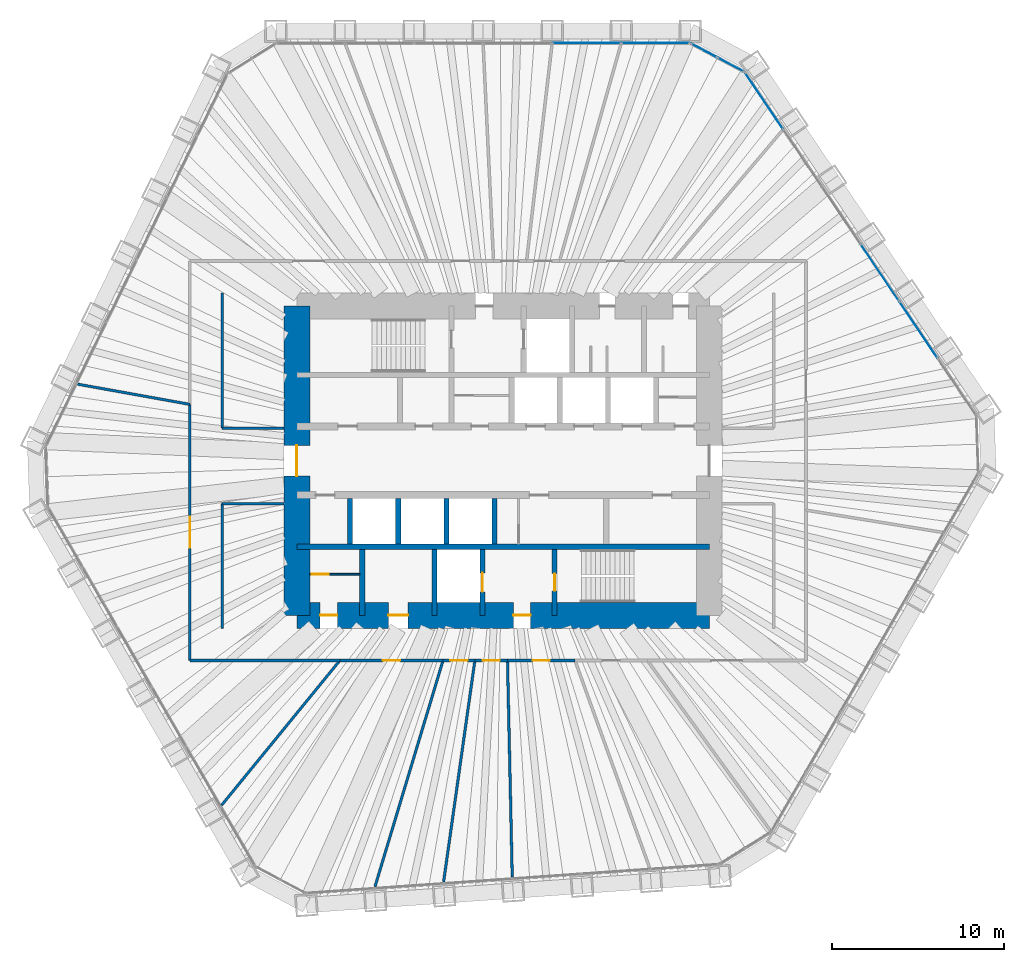
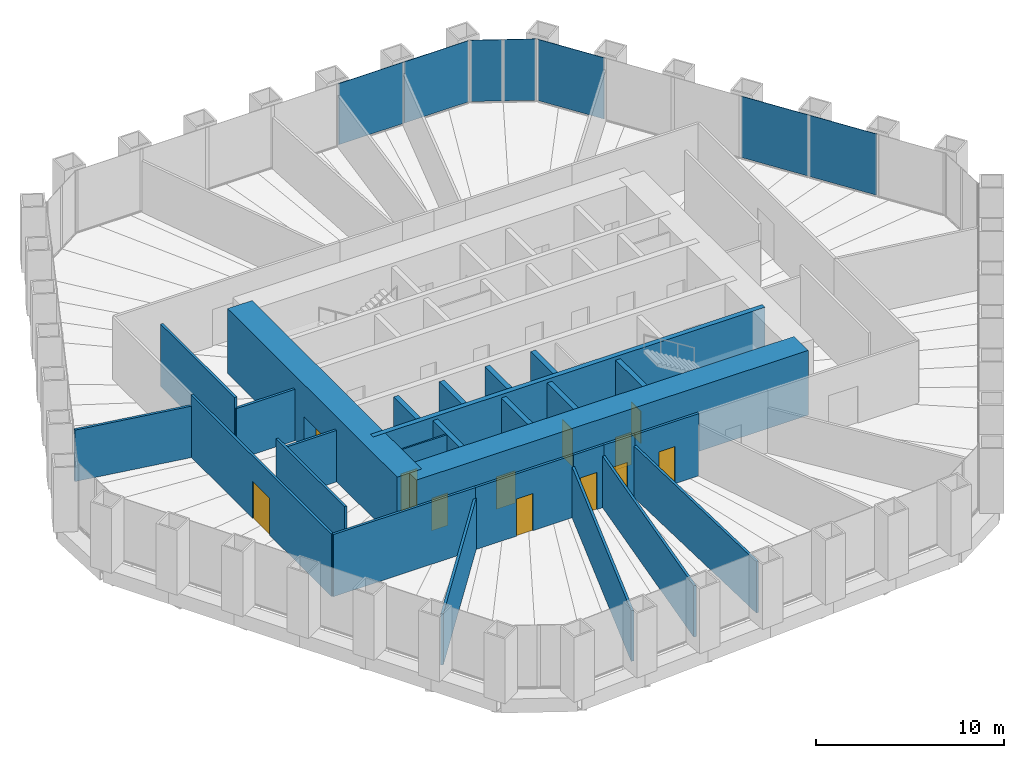
# One storey, part 9 of 12: 27 walls, 12 doors, 7 plates, 12 openings, 3 elements without a shape of their own.
"""IFC4 building model written with IfcOpenShell, lengths in metres."""

from ifc_helpers import new_model, si_unit, direction, frame, frame_2d, origin, origin_2d, place, context, subcontext, project, spatial, rectangle, extrude, material, layer, layer_set, type_object, element, fill, aggregate, save


model = new_model("IFC4")

# Units and contexts
model_context = context("Model", 3, precision=1e-05, world=origin(), true_north=direction((0.0, 1.0)))
body_context = subcontext(model_context, "Body", "Model", "MODEL_VIEW")
ifc_project = project(units=[si_unit("LENGTHUNIT", "METRE"), si_unit("AREAUNIT", "SQUARE_METRE"), si_unit("VOLUMEUNIT", "CUBIC_METRE"), si_unit("PLANEANGLEUNIT", "RADIAN"), si_unit("MASSUNIT", "GRAM", prefix="KILO")], contexts=[model_context])

# Site, building, storey
site_placement = place(None, origin())
site = spatial("IfcSite", under=ifc_project, at=site_placement, CompositionType="ELEMENT")
building_placement = place(site_placement, origin())
building = spatial("IfcBuilding", under=site, at=building_placement, Name="Qingtian Harvest Tower", CompositionType="ELEMENT")
storey_placement = place(building_placement, frame((0.0, 0.0, 107.199951171875)))
storey = spatial("IfcBuildingStorey", under=building, at=storey_placement, Name="L21", CompositionType="ELEMENT", Elevation=107.199951171875)

# Curtain wall, plates
ifc_material_1 = material(Name="Bronze-anodised aluminium curtain wall", Category="aluminium")
curtain_wall_type = type_object("IfcCurtainWallType", Name="Curtain wall CW4 office", PredefinedType="USERDEFINED", material=ifc_material_1)
curtain_wall_1_placement = place(storey_placement, origin())
curtain_wall_1 = element("IfcCurtainWall", 1, at=curtain_wall_1_placement, inside=storey, type_object=curtain_wall_type, Name="Curtain wall CW4 L21 N0-5", ObjectType="RECESSED CURTAIN WALL", PredefinedType="USERDEFINED")
ifc_material_2 = material(Name="Bronze-tinted laminated insulating glass", Category="glass")
ifc_layer_1 = layer(ifc_material_2, 0.030029296875)
ifc_layer_set_1 = layer_set([ifc_layer_1], Name="Glazed panel CWP tinted IGU")
plate_type = type_object("IfcPlateType", Name="Glazed panel CWP tinted IGU", PredefinedType="CURTAIN_PANEL", material=ifc_layer_set_1)
plate_1_placement = place(storey_placement, frame((4.864013671875, 24.300048828125, 0.06494140625), z_axis=(0.0, 0.0, 1.0), x_axis=(1.0, 0.0, 0.0)))
plate_1 = element("IfcPlate", 2, at=plate_1_placement, type_object=plate_type, Name="CW4 panel 5.1", PredefinedType="CURTAIN_PANEL", context=body_context, shape_type="SweptSolid", body=[
    extrude(rectangle(XDim=3.9541015625, YDim=0.030029296875, at=origin_2d()), origin(), (0.0, 0.0, 1.0), 3.965087890625),
])
plate_2_placement = place(storey_placement, frame((8.866943359375, 24.300048828125, 0.06494140625), z_axis=(0.0, 0.0, 1.0), x_axis=(1.0, 0.0, 0.0)))
plate_2 = element("IfcPlate", 3, at=plate_2_placement, type_object=plate_type, Name="CW4 panel 6.1", PredefinedType="CURTAIN_PANEL", context=body_context, shape_type="SweptSolid", body=[
    extrude(rectangle(XDim=3.921630859375, YDim=0.030029296875, at=origin_2d()), origin(), (0.0, 0.0, 1.0), 3.965087890625),
])
aggregate(curtain_wall_1, [plate_1, plate_2])

curtain_wall_2_placement = place(storey_placement, origin())
curtain_wall_2 = element("IfcCurtainWall", 4, at=curtain_wall_2_placement, inside=storey, type_object=curtain_wall_type, Name="Curtain wall CW4 L21 NC", ObjectType="RECESSED CURTAIN WALL", PredefinedType="USERDEFINED")
plate_3_placement = place(storey_placement, frame((11.697509765625, 23.8720703125, 0.06494140625), z_axis=(0.0, 0.0, 1.0), x_axis=(0.882947592859, -0.469471562786, 0.0)))
plate_3 = element("IfcPlate", 5, at=plate_3_placement, type_object=plate_type, Name="CW4 panel 1.1", PredefinedType="CURTAIN_PANEL", context=body_context, shape_type="SweptSolid", body=[
    extrude(rectangle(XDim=1.69287109375, YDim=0.030029296875, at=origin_2d()), origin(), (0.0, 0.0, 1.0), 3.965087890625),
])
plate_4_placement = place(storey_placement, frame((13.249755859375, 23.046875, 0.06494140625), z_axis=(0.0, 0.0, 1.0), x_axis=(0.882947592859, -0.469471562786, 0.0)))
plate_4 = element("IfcPlate", 6, at=plate_4_placement, type_object=plate_type, Name="CW4 panel 2.1", PredefinedType="CURTAIN_PANEL", context=body_context, shape_type="SweptSolid", body=[
    extrude(rectangle(XDim=1.69287109375, YDim=0.030029296875, at=origin_2d()), origin(), (0.0, 0.0, 1.0), 3.965087890625),
])
aggregate(curtain_wall_2, [plate_3, plate_4])

curtain_wall_3_placement = place(storey_placement, origin())
curtain_wall_3 = element("IfcCurtainWall", 7, at=curtain_wall_3_placement, inside=storey, type_object=curtain_wall_type, Name="Curtain wall CW4 L21 NE0-5", ObjectType="RECESSED CURTAIN WALL", PredefinedType="USERDEFINED")
plate_5_placement = place(storey_placement, frame((15.187255859375, 20.939453125, 0.06494140625), z_axis=(0.0, 0.0, 1.0), x_axis=(0.559192903471, -0.829037572555, 0.0)))
plate_5 = element("IfcPlate", 8, at=plate_5_placement, type_object=plate_type, Name="CW4 panel 1.1", PredefinedType="CURTAIN_PANEL", context=body_context, shape_type="SweptSolid", body=[
    extrude(rectangle(XDim=3.921630859375, YDim=0.030029296875, at=origin_2d()), origin(), (0.0, 0.0, 1.0), 3.965087890625),
])
plate_6_placement = place(storey_placement, frame((21.92041015625, 10.95703125, 0.06494140625), z_axis=(0.0, 0.0, 1.0), x_axis=(0.559192903471, -0.829037572555, 0.0)))
plate_6 = element("IfcPlate", 9, at=plate_6_placement, type_object=plate_type, Name="CW4 panel 4.1", PredefinedType="CURTAIN_PANEL", context=body_context, shape_type="SweptSolid", body=[
    extrude(rectangle(XDim=3.9541015625, YDim=0.030029296875, at=origin_2d()), origin(), (0.0, 0.0, 1.0), 3.965087890625),
])
plate_7_placement = place(storey_placement, frame((24.16796875, 7.625, 0.06494140625), z_axis=(0.0, 0.0, 1.0), x_axis=(0.559192903471, -0.829037572555, 0.0)))
plate_7 = element("IfcPlate", 10, at=plate_7_placement, type_object=plate_type, Name="CW4 panel 5.1", PredefinedType="CURTAIN_PANEL", context=body_context, shape_type="SweptSolid", body=[
    extrude(rectangle(XDim=3.9541015625, YDim=0.030029296875, at=origin_2d()), origin(), (0.0, 0.0, 1.0), 3.965087890625),
])
aggregate(curtain_wall_3, [plate_5, plate_6, plate_7])

# Walls
ifc_material_3 = material(Name="Concrete fc' 70 MPa", Category="concrete")
ifc_layer_2 = layer(ifc_material_3, 0.300048828125)
ifc_layer_set_2 = layer_set([ifc_layer_2], Name="Core inner wall RC5 300")
wall_type_1 = type_object("IfcWallType", Name="Core inner wall RC5 300", PredefinedType="SHEAR", material=ifc_layer_set_2)
wall_1_placement = place(storey_placement, frame((-12.0, -5.0, 0.0), z_axis=(0.0, 0.0, 1.0), x_axis=(1.0, 0.0, 0.0)))
element("IfcWall", 11, at=wall_1_placement, inside=storey, type_object=wall_type_1, Name="Core wall IS5 L21", PredefinedType="SHEAR", context=body_context, shape_type="SweptSolid", body=[
    extrude(rectangle(XDim=24.0, YDim=0.300048828125, at=frame_2d((12.0, 0.0))), origin(), (0.0, 0.0, 1.0), 4.199951171875),
])
ifc_material_4 = material(Name="Precast concrete shaft panel", Category="concrete")
ifc_layer_3 = layer(ifc_material_4, 0.300048828125)
ifc_layer_set_3 = layer_set([ifc_layer_3], Name="Core shaft partition SW1 300")
wall_type_2 = type_object("IfcWallType", Name="Core shaft partition SW1 300", PredefinedType="PARTITIONING", material=ifc_layer_set_3)
for number, where, z_axis, x_axis, name in (
    (12, (-8.89990234375, -4.85009765625, 0.0), (0.0, 0.0, 1.0), (0.0, 1.0, 0.0), "Core shaft partition XB1 L21"),
    (13, (-6.10009765625, -4.85009765625, 0.0), (0.0, 0.0, 1.0), (0.0, 1.0, 0.0), "Core shaft partition XB2 L21"),
    (14, (-3.300048828125, -4.85009765625, 0.0), (0.0, 0.0, 1.0), (0.0, 1.0, 0.0), "Core shaft partition XB3 L21"),
    (15, (-0.5, -4.85009765625, 0.0), (0.0, 0.0, 1.0), (0.0, 1.0, 0.0), "Core shaft partition XB4 L21"),
):
    element("IfcWall", number, at=place(storey_placement, frame(where, z_axis=z_axis, x_axis=x_axis)), inside=storey, type_object=wall_type_2, Name=name, PredefinedType="PARTITIONING", context=body_context, shape_type="SweptSolid", body=[
        extrude(rectangle(XDim=2.650146484375, YDim=0.300048828125, at=frame_2d((1.3251953125, 0.0))), origin(), (0.0, 0.0, 1.0), 3.97998046875),
    ])
for number, where, z_axis, x_axis, name in (
    (16, (-8.199951171875, -9.0, 0.0), (0.0, 0.0, 1.0), (0.0, 1.0, 0.0), "Core shaft partition XS1 L21"),
    (17, (-4.0, -9.0, 0.0), (0.0, 0.0, 1.0), (0.0, 1.0, 0.0), "Core shaft partition XS2 L21"),
):
    element("IfcWall", number, at=place(storey_placement, frame(where, z_axis=z_axis, x_axis=x_axis)), inside=storey, type_object=wall_type_2, Name=name, PredefinedType="PARTITIONING", context=body_context, shape_type="SweptSolid", body=[
        extrude(rectangle(XDim=3.85009765625, YDim=0.300048828125, at=frame_2d((1.925048828125, 0.0))), origin(), (0.0, 0.0, 1.0), 3.97998046875),
    ])

# Wall, opening, door
wall_2_placement = place(storey_placement, frame((-1.199951171875, -9.0, 0.0), z_axis=(0.0, 0.0, 1.0), x_axis=(0.0, 1.0, 0.0)))
wall_2 = element("IfcWall", 18, at=wall_2_placement, inside=storey, type_object=wall_type_2, Name="Core shaft partition XS3 L21", PredefinedType="PARTITIONING", context=body_context, shape_type="SweptSolid", body=[
    extrude(rectangle(XDim=3.85009765625, YDim=0.300048828125, at=frame_2d((1.925048828125, 0.0))), origin(), (0.0, 0.0, 1.0), 3.97998046875),
])
opening_1_placement = place(wall_2_placement, frame((1.375, 0.0, 0.0)))
opening_1 = element("IfcOpeningElement", 19, at=opening_1_placement, cuts=wall_2, Name="Opening LD1", PredefinedType="OPENING", context=body_context, shape_type="SweptSolid", body=[
    extrude(rectangle(XDim=1.10009765625, YDim=2.39990234375, at=frame_2d((0.550048828125, 1.199951171875))), frame((0.0, 0.159912109375, 0.0), z_axis=(0.0, -1.0, 0.0), x_axis=(1.0, 0.0, 0.0)), (0.0, 0.0, 1.0), 0.320068359375),
])
ifc_material_5 = material(Name="Stainless steel lift landing door", Category="steel")
door_type_1 = type_object("IfcDoorType", Name="Lift landing door LD1 1 HR", OperationType="DOUBLE_DOOR_SLIDING", PredefinedType="DOOR", material=ifc_material_5)
door_1_placement = place(opening_1_placement, origin())
door_1 = element("IfcDoor", 20, at=door_1_placement, inside=storey, type_object=door_type_1, Name="FL2 landing door L21", OperationType="DOUBLE_DOOR_SLIDING", OverallHeight=2.39990234375, OverallWidth=1.10009765625, PredefinedType="DOOR", context=body_context, shape_type="SweptSolid", body=[
    extrude(rectangle(XDim=1.10009765625, YDim=2.39990234375, at=frame_2d((0.550048828125, 1.199951171875))), frame((0.0, 0.02490234375, 0.0), z_axis=(0.0, -1.0, 0.0), x_axis=(1.0, 0.0, 0.0)), (0.0, 0.0, 1.0), 0.050048828125),
])
fill(opening_1, door_1)

wall_3_placement = place(storey_placement, frame((3.0, -9.0, 0.0), z_axis=(0.0, 0.0, 1.0), x_axis=(0.0, 1.0, 0.0)))
wall_3 = element("IfcWall", 21, at=wall_3_placement, inside=storey, type_object=wall_type_2, Name="Core shaft partition XS4 L21", PredefinedType="PARTITIONING", context=body_context, shape_type="SweptSolid", body=[
    extrude(rectangle(XDim=3.85009765625, YDim=0.300048828125, at=frame_2d((1.925048828125, 0.0))), origin(), (0.0, 0.0, 1.0), 3.97998046875),
])
opening_2_placement = place(wall_3_placement, frame((1.425048828125, 0.0, 0.0)))
opening_2 = element("IfcOpeningElement", 22, at=opening_2_placement, cuts=wall_3, Name="Opening FD1", PredefinedType="OPENING", context=body_context, shape_type="SweptSolid", body=[
    extrude(rectangle(XDim=1.0, YDim=2.10009765625, at=frame_2d((0.5, 1.050048828125))), frame((0.0, 0.159912109375, 0.0), z_axis=(0.0, -1.0, 0.0), x_axis=(1.0, 0.0, 0.0)), (0.0, 0.0, 1.0), 0.320068359375),
])
ifc_material_6 = material(Name="Steel-faced door leaf", Category="steel")
door_type_2 = type_object("IfcDoorType", Name="Fire door FD1 single 1 HR", OperationType="SINGLE_SWING_LEFT", PredefinedType="DOOR", material=ifc_material_6)
door_2_placement = place(opening_2_placement, origin())
door_2 = element("IfcDoor", 23, at=door_2_placement, inside=storey, type_object=door_type_2, Name="S2 door L21", OperationType="SINGLE_SWING_LEFT", OverallHeight=2.10009765625, OverallWidth=1.0, PredefinedType="DOOR", context=body_context, shape_type="SweptSolid", body=[
    extrude(rectangle(XDim=1.0, YDim=2.10009765625, at=frame_2d((0.5, 1.050048828125))), frame((0.0, 0.02490234375, 0.0), z_axis=(0.0, -1.0, 0.0), x_axis=(1.0, 0.0, 0.0)), (0.0, 0.0, 1.0), 0.050048828125),
])
fill(opening_2, door_2)

# Wall, openings, doors
ifc_material_7 = material(Name="Concrete fc' 70 MPa", Category="concrete")
ifc_layer_4 = layer(ifc_material_7, 1.5)
ifc_layer_set_4 = layer_set([ifc_layer_4], Name="Core wall RC1 1500")
wall_type_3 = type_object("IfcWallType", Name="Core wall RC1 1500", PredefinedType="SHEAR", material=ifc_layer_set_4)
wall_4_placement = place(storey_placement, frame((-12.0, -9.0, 0.0), z_axis=(0.0, 0.0, 1.0), x_axis=(1.0, 0.0, 0.0)))
wall_4 = element("IfcWall", 24, at=wall_4_placement, inside=storey, type_object=wall_type_3, Name="Core wall CS L21", PredefinedType="SHEAR", context=body_context, shape_type="SweptSolid", body=[
    extrude(rectangle(XDim=24.0, YDim=1.5, at=frame_2d((12.0, 0.0))), origin(), (0.0, 0.0, 1.0), 4.199951171875),
])
opening_3_placement = place(wall_4_placement, frame((1.35009765625, 0.0, 0.0)))
opening_3 = element("IfcOpeningElement", 25, at=opening_3_placement, cuts=wall_4, Name="Opening FD1", PredefinedType="OPENING", context=body_context, shape_type="SweptSolid", body=[
    extrude(rectangle(XDim=1.0, YDim=2.10009765625, at=frame_2d((0.5, 1.050048828125))), frame((0.0, 0.760009765625, 0.0), z_axis=(0.0, -1.0, 0.0), x_axis=(1.0, 0.0, 0.0)), (0.0, 0.0, 1.0), 1.52001953125),
])
opening_4_placement = place(wall_4_placement, frame((5.324951171875, 0.0, 0.0)))
opening_4 = element("IfcOpeningElement", 26, at=opening_4_placement, cuts=wall_4, Name="Opening AD1", PredefinedType="OPENING", context=body_context, shape_type="SweptSolid", body=[
    extrude(rectangle(XDim=1.14990234375, YDim=2.10009765625, at=frame_2d((0.574951171875, 1.050048828125))), frame((0.0, 0.760009765625, 0.0), z_axis=(0.0, -1.0, 0.0), x_axis=(1.0, 0.0, 0.0)), (0.0, 0.0, 1.0), 1.52001953125),
])
opening_5_placement = place(wall_4_placement, frame((12.60009765625, 0.0, 0.0)))
opening_5 = element("IfcOpeningElement", 27, at=opening_5_placement, cuts=wall_4, Name="Opening FD1", PredefinedType="OPENING", context=body_context, shape_type="SweptSolid", body=[
    extrude(rectangle(XDim=1.0, YDim=2.10009765625, at=frame_2d((0.5, 1.050048828125))), frame((0.0, 0.760009765625, 0.0), z_axis=(0.0, -1.0, 0.0), x_axis=(1.0, 0.0, 0.0)), (0.0, 0.0, 1.0), 1.52001953125),
])
ifc_material_8 = material(Name="Laminated timber door leaf", Category="wood")
door_type_3 = type_object("IfcDoorType", Name="Accessible WC door AD1 single", OperationType="SINGLE_SWING_LEFT", PredefinedType="DOOR", material=ifc_material_8)
door_3_placement = place(opening_4_placement, origin())
door_3 = element("IfcDoor", 28, at=door_3_placement, inside=storey, type_object=door_type_3, Name="AWC door L21", OperationType="SINGLE_SWING_LEFT", OverallHeight=2.10009765625, OverallWidth=1.14990234375, PredefinedType="DOOR", context=body_context, shape_type="SweptSolid", body=[
    extrude(rectangle(XDim=1.14990234375, YDim=2.10009765625, at=frame_2d((0.574951171875, 1.050048828125))), frame((0.0, 0.02490234375, 0.0), z_axis=(0.0, -1.0, 0.0), x_axis=(1.0, 0.0, 0.0)), (0.0, 0.0, 1.0), 0.050048828125),
])
fill(opening_4, door_3)
door_4_placement = place(opening_3_placement, origin())
door_4 = element("IfcDoor", 29, at=door_4_placement, inside=storey, type_object=door_type_2, Name="CLN door L21", OperationType="SINGLE_SWING_RIGHT", OverallHeight=2.10009765625, OverallWidth=1.0, PredefinedType="DOOR", context=body_context, shape_type="SweptSolid", body=[
    extrude(rectangle(XDim=1.0, YDim=2.10009765625, at=frame_2d((0.5, 1.050048828125))), frame((0.0, 0.02490234375, 0.0), z_axis=(0.0, -1.0, 0.0), x_axis=(1.0, 0.0, 0.0)), (0.0, 0.0, 1.0), 0.050048828125),
])
fill(opening_3, door_4)
door_5_placement = place(opening_5_placement, origin())
door_5 = element("IfcDoor", 30, at=door_5_placement, inside=storey, type_object=door_type_2, Name="V2 door L21", OperationType="SINGLE_SWING_RIGHT", OverallHeight=2.10009765625, OverallWidth=1.0, PredefinedType="DOOR", context=body_context, shape_type="SweptSolid", body=[
    extrude(rectangle(XDim=1.0, YDim=2.10009765625, at=frame_2d((0.5, 1.050048828125))), frame((0.0, 0.02490234375, 0.0), z_axis=(0.0, -1.0, 0.0), x_axis=(1.0, 0.0, 0.0)), (0.0, 0.0, 1.0), 0.050048828125),
])
fill(opening_5, door_5)

# Wall, opening, door
wall_5_placement = place(storey_placement, frame((-12.0, -9.0, 0.0), z_axis=(0.0, 0.0, 1.0), x_axis=(0.0, 1.0, 0.0)))
wall_5 = element("IfcWall", 31, at=wall_5_placement, inside=storey, type_object=wall_type_3, Name="Core wall CW L21", PredefinedType="SHEAR", context=body_context, shape_type="SweptSolid", body=[
    extrude(rectangle(XDim=18.0, YDim=1.5, at=frame_2d((9.0, 0.0))), origin(), (0.0, 0.0, 1.0), 4.199951171875),
])
opening_6_placement = place(wall_5_placement, frame((8.10009765625, 0.0, 0.0)))
opening_6 = element("IfcOpeningElement", 32, at=opening_6_placement, cuts=wall_5, Name="Opening FD2", PredefinedType="OPENING", context=body_context, shape_type="SweptSolid", body=[
    extrude(rectangle(XDim=1.800048828125, YDim=2.10009765625, at=frame_2d((0.89990234375, 1.050048828125))), frame((0.0, 0.760009765625, 0.0), z_axis=(0.0, -1.0, 0.0), x_axis=(1.0, 0.0, 0.0)), (0.0, 0.0, 1.0), 1.52001953125),
])
ifc_material_9 = material(Name="Steel-faced door leaf", Category="steel")
door_type_4 = type_object("IfcDoorType", Name="Fire door FD2 double 1 HR", OperationType="DOUBLE_DOOR_DOUBLE_SWING", PredefinedType="DOOR", material=ifc_material_9)
door_6_placement = place(opening_6_placement, origin())
door_6 = element("IfcDoor", 33, at=door_6_placement, inside=storey, type_object=door_type_4, Name="LOBBY-W door L21", OperationType="DOUBLE_DOOR_DOUBLE_SWING", OverallHeight=2.10009765625, OverallWidth=1.800048828125, PredefinedType="DOOR", context=body_context, shape_type="SweptSolid", body=[
    extrude(rectangle(XDim=1.800048828125, YDim=2.10009765625, at=frame_2d((0.89990234375, 1.050048828125))), frame((0.0, 0.02490234375, 0.0), z_axis=(0.0, -1.0, 0.0), x_axis=(1.0, 0.0, 0.0)), (0.0, 0.0, 1.0), 0.050048828125),
])
fill(opening_6, door_6)

# Walls
ifc_material_10 = material(Name="Gypsum board on steel studs", Category="steel")
ifc_layer_5 = layer(ifc_material_10, 0.14990234375)
ifc_layer_set_5 = layer_set([ifc_layer_5], Name="Partition PT1 150")
wall_type_4 = type_object("IfcWallType", Name="Partition PT1 150", PredefinedType="PARTITIONING", material=ifc_layer_set_5)
wall_6_placement = place(storey_placement, frame((-16.3798828125, -20.042236328125, 0.0), z_axis=(0.0, 0.0, 1.0), x_axis=(0.632814540967, 0.774303400962, 0.0)))
element("IfcWall", 34, at=wall_6_placement, inside=storey, type_object=wall_type_4, Name="Office suite wall L21", PredefinedType="PARTITIONING", context=body_context, shape_type="SweptSolid", body=[
    extrude(rectangle(XDim=10.87060546875, YDim=0.14990234375, at=frame_2d((5.435302734375, 0.0))), origin(), (0.0, 0.0, 1.0), 3.330078125),
])
wall_7_placement = place(storey_placement, frame((-9.500732421875, -11.625, 0.0), z_axis=(0.0, 0.0, 1.0), x_axis=(-1.0, 0.0, 0.0)))
element("IfcWall", 35, at=wall_7_placement, inside=storey, type_object=wall_type_4, Name="Office suite wall L21", PredefinedType="PARTITIONING", context=body_context, shape_type="SweptSolid", body=[
    extrude(rectangle(XDim=8.724365234375, YDim=0.14990234375, at=frame_2d((4.3623046875, 0.0))), origin(), (0.0, 0.0, 1.0), 4.030029296875),
])

# Wall, opening, door
wall_8_placement = place(storey_placement, frame((-18.22509765625, -11.625, 0.0), z_axis=(0.0, 0.0, 1.0), x_axis=(0.0, 1.0, 0.0)))
wall_8 = element("IfcWall", 36, at=wall_8_placement, inside=storey, type_object=wall_type_4, Name="Office suite wall L21", PredefinedType="PARTITIONING", context=body_context, shape_type="SweptSolid", body=[
    extrude(rectangle(XDim=14.906005859375, YDim=0.14990234375, at=frame_2d((7.453125, 0.0))), origin(), (0.0, 0.0, 1.0), 4.030029296875),
])
opening_7_placement = place(wall_8_placement, frame((6.552978515625, 0.0, 0.0)))
opening_7 = element("IfcOpeningElement", 37, at=opening_7_placement, cuts=wall_8, Name="Opening D3", PredefinedType="OPENING", context=body_context, shape_type="SweptSolid", body=[
    extrude(rectangle(XDim=1.800048828125, YDim=2.39990234375, at=frame_2d((0.89990234375, 1.199951171875))), frame((0.0, 0.0849609375, 0.0), z_axis=(0.0, -1.0, 0.0), x_axis=(1.0, 0.0, 0.0)), (0.0, 0.0, 1.0), 0.169921875),
])
ifc_material_11 = material(Name="Laminated timber door leaf", Category="wood")
door_type_5 = type_object("IfcDoorType", Name="Room door D3 double", OperationType="DOUBLE_DOOR_DOUBLE_SWING", PredefinedType="DOOR", material=ifc_material_11)
door_7_placement = place(opening_7_placement, origin())
door_7 = element("IfcDoor", 38, at=door_7_placement, inside=storey, type_object=door_type_5, Name="Office suite door L21", OperationType="DOUBLE_DOOR_DOUBLE_SWING", OverallHeight=2.39990234375, OverallWidth=1.800048828125, PredefinedType="DOOR", context=body_context, shape_type="SweptSolid", body=[
    extrude(rectangle(XDim=1.800048828125, YDim=2.39990234375, at=frame_2d((0.89990234375, 1.199951171875))), frame((0.0, 0.02490234375, 0.0), z_axis=(0.0, -1.0, 0.0), x_axis=(1.0, 0.0, 0.0)), (0.0, 0.0, 1.0), 0.050048828125),
])
fill(opening_7, door_7)

# Wall
wall_9_placement = place(storey_placement, frame((-24.75537109375, 4.456787109375, 0.0), z_axis=(0.0, 0.0, 1.0), x_axis=(0.984174598206, -0.177201467959, 0.0)))
element("IfcWall", 39, at=wall_9_placement, inside=storey, type_object=wall_type_4, Name="Office suite wall L21", PredefinedType="PARTITIONING", context=body_context, shape_type="SweptSolid", body=[
    extrude(rectangle(XDim=6.63525390625, YDim=0.14990234375, at=frame_2d((3.317626953125, 0.0))), origin(), (0.0, 0.0, 1.0), 3.330078125),
])

# Wall, opening, door
wall_10_placement = place(storey_placement, frame((4.18408203125, -11.625, 0.0), z_axis=(0.0, 0.0, 1.0), x_axis=(-1.0, 0.0, 0.0)))
wall_10 = element("IfcWall", 40, at=wall_10_placement, inside=storey, type_object=wall_type_4, Name="Print room wall L21", PredefinedType="PARTITIONING", context=body_context, shape_type="SweptSolid", body=[
    extrude(rectangle(XDim=3.92919921875, YDim=0.14990234375, at=frame_2d((1.964599609375, 0.0))), origin(), (0.0, 0.0, 1.0), 4.030029296875),
])
opening_8_placement = place(wall_10_placement, frame((1.464599609375, 0.0, 0.0)))
opening_8 = element("IfcOpeningElement", 41, at=opening_8_placement, cuts=wall_10, Name="Opening D2", PredefinedType="OPENING", context=body_context, shape_type="SweptSolid", body=[
    extrude(rectangle(XDim=1.0, YDim=2.39990234375, at=frame_2d((0.5, 1.199951171875))), frame((0.0, 0.0849609375, 0.0), z_axis=(0.0, -1.0, 0.0), x_axis=(1.0, 0.0, 0.0)), (0.0, 0.0, 1.0), 0.169921875),
])
ifc_material_12 = material(Name="Laminated timber door leaf", Category="wood")
door_type_6 = type_object("IfcDoorType", Name="Room door D2 single", OperationType="SINGLE_SWING_LEFT", PredefinedType="DOOR", material=ifc_material_12)
door_8_placement = place(opening_8_placement, origin())
door_8 = element("IfcDoor", 42, at=door_8_placement, inside=storey, type_object=door_type_6, Name="Print room door L21", OperationType="SINGLE_SWING_LEFT", OverallHeight=2.39990234375, OverallWidth=1.0, PredefinedType="DOOR", context=body_context, shape_type="SweptSolid", body=[
    extrude(rectangle(XDim=1.0, YDim=2.39990234375, at=frame_2d((0.5, 1.199951171875))), frame((0.0, 0.02490234375, 0.0), z_axis=(0.0, -1.0, 0.0), x_axis=(1.0, 0.0, 0.0)), (0.0, 0.0, 1.0), 0.050048828125),
])
fill(opening_8, door_8)

# Wall
wall_11_placement = place(storey_placement, frame((0.53125, -24.22216796875, 0.0), z_axis=(0.0, 0.0, 1.0), x_axis=(-0.021933557026, 0.999759430601, 0.0)))
element("IfcWall", 43, at=wall_11_placement, inside=storey, type_object=wall_type_4, Name="Meeting room wall L21", PredefinedType="PARTITIONING", context=body_context, shape_type="SweptSolid", body=[
    extrude(rectangle(XDim=12.60009765625, YDim=0.14990234375, at=frame_2d((6.300048828125, 0.0))), origin(), (0.0, 0.0, 1.0), 3.330078125),
])

# Wall, opening, door
wall_12_placement = place(storey_placement, frame((0.2548828125, -11.625, 0.0), z_axis=(0.0, 0.0, 1.0), x_axis=(-1.0, 0.0, 0.0)))
wall_12 = element("IfcWall", 44, at=wall_12_placement, inside=storey, type_object=wall_type_4, Name="Meeting room wall L21", PredefinedType="PARTITIONING", context=body_context, shape_type="SweptSolid", body=[
    extrude(rectangle(XDim=1.897216796875, YDim=0.14990234375, at=frame_2d((0.94873046875, 0.0))), origin(), (0.0, 0.0, 1.0), 4.030029296875),
])
opening_9_placement = place(wall_12_placement, frame((0.44873046875, 0.0, 0.0)))
opening_9 = element("IfcOpeningElement", 45, at=opening_9_placement, cuts=wall_12, Name="Opening D2", PredefinedType="OPENING", context=body_context, shape_type="SweptSolid", body=[
    extrude(rectangle(XDim=1.0, YDim=2.39990234375, at=frame_2d((0.5, 1.199951171875))), frame((0.0, 0.0849609375, 0.0), z_axis=(0.0, -1.0, 0.0), x_axis=(1.0, 0.0, 0.0)), (0.0, 0.0, 1.0), 0.169921875),
])
door_9_placement = place(opening_9_placement, origin())
door_9 = element("IfcDoor", 46, at=door_9_placement, inside=storey, type_object=door_type_6, Name="Meeting room door L21", OperationType="SINGLE_SWING_LEFT", OverallHeight=2.39990234375, OverallWidth=1.0, PredefinedType="DOOR", context=body_context, shape_type="SweptSolid", body=[
    extrude(rectangle(XDim=1.0, YDim=2.39990234375, at=frame_2d((0.5, 1.199951171875))), frame((0.0, 0.02490234375, 0.0), z_axis=(0.0, -1.0, 0.0), x_axis=(1.0, 0.0, 0.0)), (0.0, 0.0, 1.0), 0.050048828125),
])
fill(opening_9, door_9)

# Wall
wall_13_placement = place(storey_placement, frame((-3.4619140625, -24.50341796875, 0.0), z_axis=(0.0, 0.0, 1.0), x_axis=(0.139899618934, 0.990165691499, 0.0)))
element("IfcWall", 47, at=wall_13_placement, inside=storey, type_object=wall_type_4, Name="Meeting room wall L21", PredefinedType="PARTITIONING", context=body_context, shape_type="SweptSolid", body=[
    extrude(rectangle(XDim=13.00634765625, YDim=0.14990234375, at=frame_2d((6.503173828125, 0.0))), origin(), (0.0, 0.0, 1.0), 3.330078125),
])

# Wall, opening, door
wall_14_placement = place(storey_placement, frame((-1.642333984375, -11.625, 0.0), z_axis=(0.0, 0.0, 1.0), x_axis=(-1.0, 0.0, 0.0)))
wall_14 = element("IfcWall", 48, at=wall_14_placement, inside=storey, type_object=wall_type_4, Name="Meeting room wall L21", PredefinedType="PARTITIONING", context=body_context, shape_type="SweptSolid", body=[
    extrude(rectangle(XDim=1.854736328125, YDim=0.14990234375, at=frame_2d((0.92724609375, 0.0))), origin(), (0.0, 0.0, 1.0), 4.030029296875),
])
opening_10_placement = place(wall_14_placement, frame((0.42724609375, 0.0, 0.0)))
opening_10 = element("IfcOpeningElement", 49, at=opening_10_placement, cuts=wall_14, Name="Opening D2", PredefinedType="OPENING", context=body_context, shape_type="SweptSolid", body=[
    extrude(rectangle(XDim=1.0, YDim=2.39990234375, at=frame_2d((0.5, 1.199951171875))), frame((0.0, 0.0849609375, 0.0), z_axis=(0.0, -1.0, 0.0), x_axis=(1.0, 0.0, 0.0)), (0.0, 0.0, 1.0), 0.169921875),
])
door_10_placement = place(opening_10_placement, origin())
door_10 = element("IfcDoor", 50, at=door_10_placement, inside=storey, type_object=door_type_6, Name="Meeting room door L21", OperationType="SINGLE_SWING_RIGHT", OverallHeight=2.39990234375, OverallWidth=1.0, PredefinedType="DOOR", context=body_context, shape_type="SweptSolid", body=[
    extrude(rectangle(XDim=1.0, YDim=2.39990234375, at=frame_2d((0.5, 1.199951171875))), frame((0.0, 0.02490234375, 0.0), z_axis=(0.0, -1.0, 0.0), x_axis=(1.0, 0.0, 0.0)), (0.0, 0.0, 1.0), 0.050048828125),
])
fill(opening_10, door_10)

# Wall
wall_15_placement = place(storey_placement, frame((-7.456298828125, -24.787109375, 0.0), z_axis=(0.0, 0.0, 1.0), x_axis=(0.288055049501, 0.957613851433, 0.0)))
element("IfcWall", 51, at=wall_15_placement, inside=storey, type_object=wall_type_4, Name="Meeting room wall L21", PredefinedType="PARTITIONING", context=body_context, shape_type="SweptSolid", body=[
    extrude(rectangle(XDim=13.74462890625, YDim=0.14990234375, at=frame_2d((6.872314453125, 0.0))), origin(), (0.0, 0.0, 1.0), 3.280029296875),
])

# Wall, opening, door
wall_16_placement = place(storey_placement, frame((-3.4970703125, -11.625, 0.0), z_axis=(0.0, 0.0, 1.0), x_axis=(-1.0, 0.0, 0.0)))
wall_16 = element("IfcWall", 52, at=wall_16_placement, inside=storey, type_object=wall_type_4, Name="Meeting room wall L21", PredefinedType="PARTITIONING", context=body_context, shape_type="SweptSolid", body=[
    extrude(rectangle(XDim=6.003662109375, YDim=0.14990234375, at=frame_2d((3.001953125, 0.0))), origin(), (0.0, 0.0, 1.0), 4.030029296875),
])
opening_11_placement = place(wall_16_placement, frame((2.501953125, 0.0, 0.0)))
opening_11 = element("IfcOpeningElement", 53, at=opening_11_placement, cuts=wall_16, Name="Opening D2", PredefinedType="OPENING", context=body_context, shape_type="SweptSolid", body=[
    extrude(rectangle(XDim=1.0, YDim=2.39990234375, at=frame_2d((0.5, 1.199951171875))), frame((0.0, 0.0849609375, 0.0), z_axis=(0.0, -1.0, 0.0), x_axis=(1.0, 0.0, 0.0)), (0.0, 0.0, 1.0), 0.169921875),
])
door_11_placement = place(opening_11_placement, origin())
door_11 = element("IfcDoor", 54, at=door_11_placement, inside=storey, type_object=door_type_6, Name="Meeting room door L21", OperationType="SINGLE_SWING_RIGHT", OverallHeight=2.39990234375, OverallWidth=1.0, PredefinedType="DOOR", context=body_context, shape_type="SweptSolid", body=[
    extrude(rectangle(XDim=1.0, YDim=2.39990234375, at=frame_2d((0.5, 1.199951171875))), frame((0.0, 0.02490234375, 0.0), z_axis=(0.0, -1.0, 0.0), x_axis=(1.0, 0.0, 0.0)), (0.0, 0.0, 1.0), 0.050048828125),
])
fill(opening_11, door_11)

# Walls
wall_17_placement = place(storey_placement, frame((-16.35009765625, 1.89990234375, 0.0), z_axis=(0.0, 0.0, 1.0), x_axis=(0.0, 1.0, 0.0)))
element("IfcWall", 55, at=wall_17_placement, inside=storey, type_object=wall_type_4, Name="Reading area wall L21", PredefinedType="PARTITIONING", context=body_context, shape_type="SweptSolid", body=[
    extrude(rectangle(XDim=7.85009765625, YDim=0.14990234375, at=frame_2d((3.925048828125, 0.0))), origin(), (0.0, 0.0, 1.0), 4.030029296875),
])
wall_18_placement = place(storey_placement, frame((-12.75, 1.89990234375, 0.0), z_axis=(0.0, 0.0, 1.0), x_axis=(-1.0, 0.0, 0.0)))
element("IfcWall", 56, at=wall_18_placement, inside=storey, type_object=wall_type_4, Name="Reading area wall L21", PredefinedType="PARTITIONING", context=body_context, shape_type="SweptSolid", body=[
    extrude(rectangle(XDim=3.60009765625, YDim=0.14990234375, at=frame_2d((1.800048828125, 0.0))), origin(), (0.0, 0.0, 1.0), 3.330078125),
])
wall_19_placement = place(storey_placement, frame((-16.35009765625, -9.75, 0.0), z_axis=(0.0, 0.0, 1.0), x_axis=(0.0, 1.0, 0.0)))
element("IfcWall", 57, at=wall_19_placement, inside=storey, type_object=wall_type_4, Name="Coffee point wall L21", PredefinedType="PARTITIONING", context=body_context, shape_type="SweptSolid", body=[
    extrude(rectangle(XDim=7.25, YDim=0.14990234375, at=frame_2d((3.625, 0.0))), origin(), (0.0, 0.0, 1.0), 4.030029296875),
])
wall_20_placement = place(storey_placement, frame((-12.75, -2.5, 0.0), z_axis=(0.0, 0.0, 1.0), x_axis=(-1.0, 0.0, 0.0)))
element("IfcWall", 58, at=wall_20_placement, inside=storey, type_object=wall_type_4, Name="Coffee point wall L21", PredefinedType="PARTITIONING", context=body_context, shape_type="SweptSolid", body=[
    extrude(rectangle(XDim=3.60009765625, YDim=0.14990234375, at=frame_2d((1.800048828125, 0.0))), origin(), (0.0, 0.0, 1.0), 3.330078125),
])

# Wall, opening, door
ifc_material_13 = material(Name="Concrete block partition", Category="concrete")
ifc_layer_6 = layer(ifc_material_13, 0.10009765625)
ifc_layer_set_6 = layer_set([ifc_layer_6], Name="Store partition PT3 100")
wall_type_5 = type_object("IfcWallType", Name="Store partition PT3 100", PredefinedType="PARTITIONING", material=ifc_layer_set_6)
wall_21_placement = place(storey_placement, frame((-11.25, -6.60009765625, 0.0), z_axis=(0.0, 0.0, 1.0), x_axis=(1.0, 0.0, 0.0)))
wall_21 = element("IfcWall", 59, at=wall_21_placement, inside=storey, type_object=wall_type_5, Name="Waste store wall L21", PredefinedType="PARTITIONING", context=body_context, shape_type="SweptSolid", body=[
    extrude(rectangle(XDim=2.89990234375, YDim=0.10009765625, at=frame_2d((1.449951171875, 0.0))), origin(), (0.0, 0.0, 1.0), 3.97998046875),
])
opening_12_placement = place(wall_21_placement, frame((0.10009765625, 0.0, 0.0)))
opening_12 = element("IfcOpeningElement", 60, at=opening_12_placement, cuts=wall_21, Name="Opening D2", PredefinedType="OPENING", context=body_context, shape_type="SweptSolid", body=[
    extrude(rectangle(XDim=1.0, YDim=2.39990234375, at=frame_2d((0.5, 1.199951171875))), frame((0.0, 0.06005859375, 0.0), z_axis=(0.0, -1.0, 0.0), x_axis=(1.0, 0.0, 0.0)), (0.0, 0.0, 1.0), 0.1201171875),
])
door_12_placement = place(opening_12_placement, origin())
door_12 = element("IfcDoor", 61, at=door_12_placement, inside=storey, type_object=door_type_6, Name="Waste store door L21", OperationType="SINGLE_SWING_LEFT", OverallHeight=2.39990234375, OverallWidth=1.0, PredefinedType="DOOR", context=body_context, shape_type="SweptSolid", body=[
    extrude(rectangle(XDim=1.0, YDim=2.39990234375, at=frame_2d((0.5, 1.199951171875))), frame((0.0, 0.02490234375, 0.0), z_axis=(0.0, -1.0, 0.0), x_axis=(1.0, 0.0, 0.0)), (0.0, 0.0, 1.0), 0.050048828125),
])
fill(opening_12, door_12)

save(model, "model.ifc")
